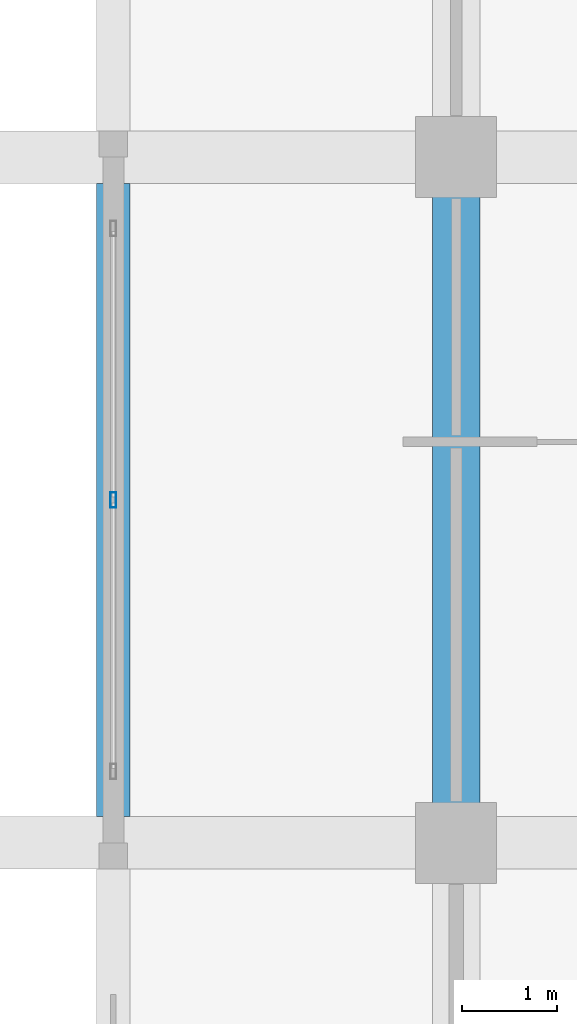
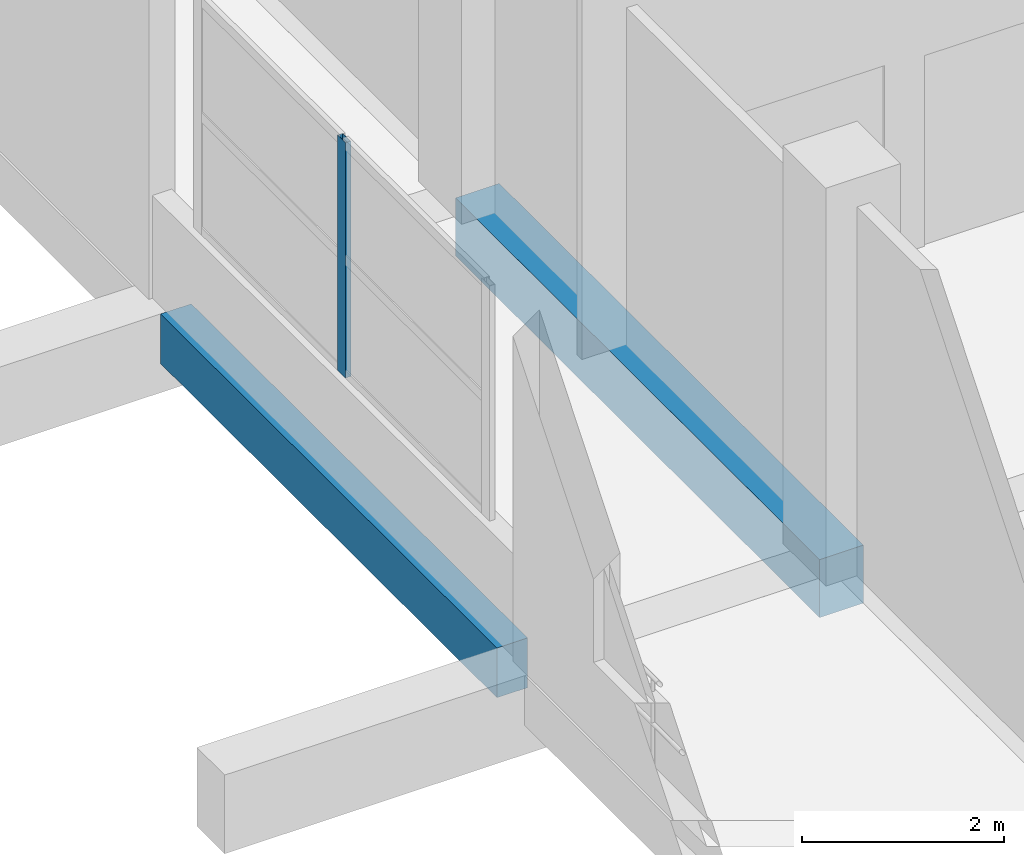
# One storey, part 16 of 181: 2 beams, 1 member, 1 element without a shape of its own.
"""IFC4 building model written with IfcOpenShell, lengths in metres."""

from ifc_helpers import new_model, si_unit, direction, frame, origin, origin_2d, place, context, subcontext, project, spatial, rectangle, hollow_rectangle, extrude, material, layer, layer_set, material_profile, profile_set, type_object, element, aggregate, save


model = new_model("IFC4")

# Units and contexts
model_context = context("Model", 3, precision=1e-05, world=origin(), true_north=direction((0.0, 1.0)))
body_context = subcontext(model_context, "Body", "Model", "MODEL_VIEW")
ifc_project = project(units=[si_unit("LENGTHUNIT", "METRE"), si_unit("AREAUNIT", "SQUARE_METRE"), si_unit("VOLUMEUNIT", "CUBIC_METRE"), si_unit("PLANEANGLEUNIT", "RADIAN"), si_unit("MASSUNIT", "GRAM", prefix="KILO")], contexts=[model_context])

# Site, building, storey
site_placement = place(None, origin())
site = spatial("IfcSite", under=ifc_project, at=site_placement, CompositionType="ELEMENT")
building_placement = place(site_placement, origin())
building = spatial("IfcBuilding", under=site, at=building_placement, Name="Seraya Terrace Polytechnic", CompositionType="ELEMENT")
storey_placement = place(building_placement, frame((0.0, 0.0, 4.800048828125)))
storey = spatial("IfcBuildingStorey", under=building, at=storey_placement, Name="L01", CompositionType="ELEMENT", Elevation=4.800048828125)

# Beam
ifc_material_1 = material(Name="Concrete C40/50", Category="concrete")
ifc_material_profile_1 = material_profile(ifc_material_1, rectangle(XDim=0.5, YDim=0.699951171875, at=origin_2d()), Name="RC 500x700")
ifc_profile_set_1 = profile_set([ifc_material_profile_1], Name="Concrete C40/50")
beam_type_1 = type_object("IfcBeamType", Name="BM-07", PredefinedType="BEAM", material=ifc_profile_set_1)
beam_1_placement = place(storey_placement, frame((7.199951171875, 36.0, -0.35009765625), z_axis=(0.0, 1.0, 0.0), x_axis=(-1.0, 0.0, 0.0)))
element("IfcBeam", 1, at=beam_1_placement, inside=storey, type_object=beam_type_1, Name="Beam BM-07 L01 Y (7.2, 36.0..43.2)", PredefinedType="BEAM", context=body_context, shape_type="SweptSolid", body=[
    extrude(rectangle(XDim=0.5, YDim=0.699951171875, at=origin_2d()), origin(), (0.0, 0.0, 1.0), 7.199951171875),
])

# Curtain wall, member
ifc_material_2 = material(Name="Anodised aluminium EN AW-6063 T6", Category="aluminium")
ifc_layer = layer(ifc_material_2, 0.179931640625, Name="CW-02")
ifc_layer_set = layer_set([ifc_layer], Name="Anodised aluminium EN AW-6063 T6")
curtain_wall_type = type_object("IfcCurtainWallType", Name="CW-02", PredefinedType="NOTDEFINED", material=ifc_layer_set)
curtain_wall_placement = place(storey_placement, origin())
curtain_wall = element("IfcCurtainWall", 2, at=curtain_wall_placement, inside=storey, type_object=curtain_wall_type, Name="Unitised curtain wall CW-02 (CW-L01-002)", PredefinedType="NOTDEFINED")
ifc_material_profile_2 = material_profile(ifc_material_2, hollow_rectangle(XDim=0.06005859375, YDim=0.159912109375, WallThickness=0.00341796875, at=origin_2d()), Name="RHS 160x60x3.5")
ifc_profile_set_2 = profile_set([ifc_material_profile_2], Name="Anodised aluminium EN AW-6063 T6")
member_type = type_object("IfcMemberType", Name="CWM-02", PredefinedType="MULLION", material=ifc_profile_set_2)
member_placement = place(storey_placement, frame((3.60009765625, 39.60009765625, 1.239990234375), z_axis=(0.0, 0.0, 1.0), x_axis=(-1.0, 0.0, 0.0)))
member = element("IfcMember", 3, at=member_placement, type_object=member_type, Name="CW-02 mullion 2", PredefinedType="MULLION", context=body_context, shape_type="SweptSolid", body=[
    extrude(hollow_rectangle(XDim=0.06005859375, YDim=0.159912109375, WallThickness=0.00341796875, at=origin_2d()), origin(), (0.0, 0.0, 1.0), 2.83984375),
])
aggregate(curtain_wall, [member])

# Beam
ifc_material_profile_3 = material_profile(ifc_material_1, rectangle(XDim=0.35009765625, YDim=0.60009765625, at=origin_2d()), Name="RC 350x600")
ifc_profile_set_3 = profile_set([ifc_material_profile_3], Name="Concrete C40/50")
beam_type_2 = type_object("IfcBeamType", Name="JS-02", PredefinedType="JOIST", material=ifc_profile_set_3)
beam_2_placement = place(storey_placement, frame((3.60009765625, 36.27490234375, -0.300048828125), z_axis=(0.0, 1.0, 0.0), x_axis=(-1.0, 0.0, 0.0)))
element("IfcBeam", 4, at=beam_2_placement, inside=storey, type_object=beam_type_2, Name="Secondary joist JS-02 L01", PredefinedType="JOIST", context=body_context, shape_type="SweptSolid", body=[
    extrude(rectangle(XDim=0.35009765625, YDim=0.60009765625, at=origin_2d()), origin(), (0.0, 0.0, 1.0), 6.650146484375),
])

save(model, "model.ifc")
